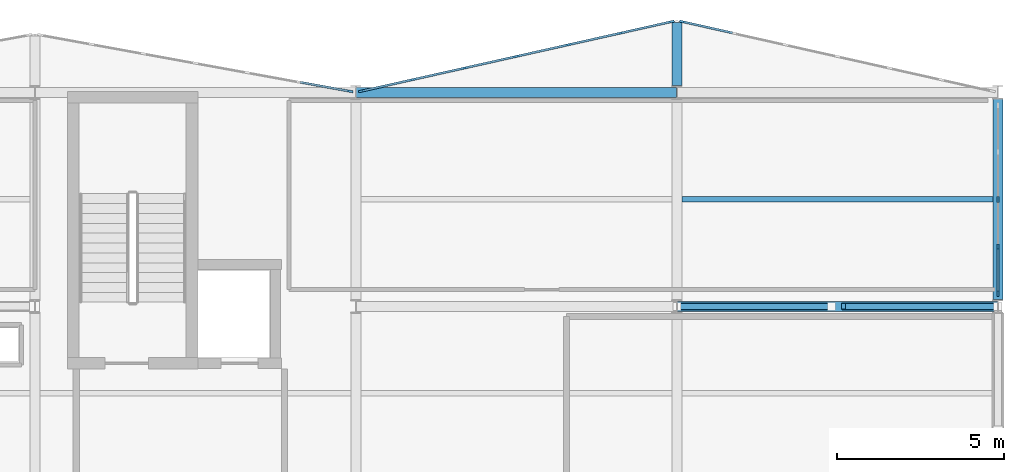
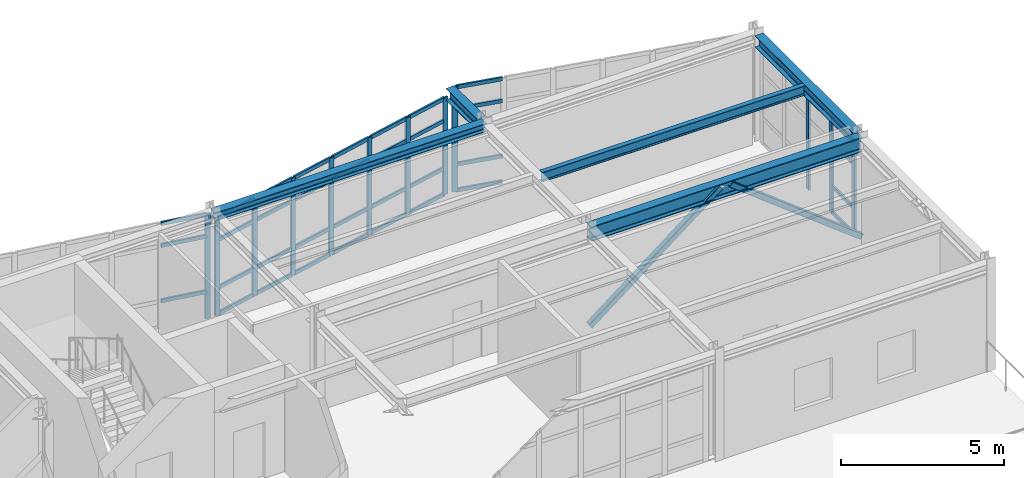
# One storey, part 26 of 47: 49 members, 5 beams, 4 elements without a shape of their own.
"""IFC4 building model written with IfcOpenShell, lengths in metres."""

from ifc_helpers import new_model, si_unit, direction, frame, origin, origin_2d, place, context, subcontext, project, spatial, rectangle, hollow_rectangle, i_section, extrude, material, layer, layer_set, material_profile, profile_set, type_object, element, aggregate, save


model = new_model("IFC4")

# Units and contexts
model_context = context("Model", 3, precision=1e-05, world=origin(), true_north=direction((0.0, 1.0)))
body_context = subcontext(model_context, "Body", "Model", "MODEL_VIEW")
ifc_project = project(units=[si_unit("LENGTHUNIT", "METRE"), si_unit("AREAUNIT", "SQUARE_METRE"), si_unit("VOLUMEUNIT", "CUBIC_METRE"), si_unit("PLANEANGLEUNIT", "RADIAN"), si_unit("MASSUNIT", "GRAM", prefix="KILO")], contexts=[model_context])

# Site, building, storey
site_placement = place(None, origin())
site = spatial("IfcSite", under=ifc_project, at=site_placement, CompositionType="ELEMENT")
building_placement = place(site_placement, origin())
building = spatial("IfcBuilding", under=site, at=building_placement, Name="Nordkorset Police Headquarters", CompositionType="ELEMENT")
storey_placement = place(building_placement, frame((0.0, 0.0, 22.050048828125)))
storey = spatial("IfcBuildingStorey", under=building, at=storey_placement, Name="L05", CompositionType="ELEMENT", Elevation=22.050048828125)

# Beam
ifc_material_1 = material(Name="Steel S355J2", Category="steel")
ifc_material_profile_1 = material_profile(ifc_material_1, i_section(OverallWidth=0.169921875, OverallDepth=0.360107421875, WebThickness=0.008056640625, FlangeThickness=0.0126953125, FilletRadius=0.01806640625, at=origin_2d()), Name="IPE 360")
ifc_profile_set_1 = profile_set([ifc_material_profile_1], Name="Steel S355J2")
beam_type_1 = type_object("IfcBeamType", Name="Beam_IPE_360", PredefinedType="BEAM", material=ifc_profile_set_1)
beam_1_placement = place(storey_placement, frame((76.949951171875, 113.60009765625, 3.784912109375), z_axis=(1.0, 0.0, 0.0), x_axis=(0.0, 1.0, 0.0)))
element("IfcBeam", 1, at=beam_1_placement, inside=storey, type_object=beam_type_1, Name="Composite Floor Beam V2 L05 5-1-1", PredefinedType="BEAM", context=body_context, shape_type="SweptSolid", body=[
    extrude(i_section(OverallWidth=0.169921875, OverallDepth=0.360107421875, WebThickness=0.008056640625, FlangeThickness=0.0126953125, FilletRadius=0.01806640625, at=origin_2d()), origin(), (0.0, 0.0, 1.0), 9.300048828125),
])

# Members
ifc_material_2 = material(Name="Steel S355J2", Category="steel")
ifc_material_profile_2 = material_profile(ifc_material_2, hollow_rectangle(XDim=0.199951171875, YDim=0.199951171875, WallThickness=0.010009765625, InnerFilletRadius=0.010009765625, OuterFilletRadius=0.02001953125, at=origin_2d()), Name="SHS 200x200x10")
ifc_profile_set_2 = profile_set([ifc_material_profile_2], Name="Steel S355J2")
member_type_1 = type_object("IfcMemberType", Name="Brace_SHS_200x200x10", PredefinedType="BRACE", material=ifc_profile_set_2)
for number, where, z_axis, x_axis, name in (
    (2, (76.806640625, 110.39990234375, 0.199951171875), (0.790018119553, 0.0, 0.613083494132), (0.0, 1.0, 0.0), "Lateral Chevron Brace BF-V2-B L05 D1"),
    (3, (86.393310546875, 110.39990234375, 0.199951171875), (-0.790018119553, 0.0, 0.613083494132), (0.0, -1.0, 0.0), "Lateral Chevron Brace BF-V2-B L05 D2"),
):
    element("IfcMember", number, at=place(storey_placement, frame(where, z_axis=z_axis, x_axis=x_axis)), inside=storey, type_object=member_type_1, Name=name, PredefinedType="BRACE", context=body_context, shape_type="SweptSolid", body=[
        extrude(hollow_rectangle(XDim=0.199951171875, YDim=0.199951171875, WallThickness=0.010009765625, InnerFilletRadius=0.010009765625, OuterFilletRadius=0.02001953125, at=origin_2d()), origin(), (0.0, 0.0, 1.0), 5.83935546875),
    ])

# Curtain wall, member
ifc_material_3 = material(Name="Aluminium alloy AW-6060", Category="aluminium")
ifc_layer_1 = layer(ifc_material_3, 0.179931640625, Name="Aluminium alloy AW-6060")
ifc_layer_set_1 = layer_set([ifc_layer_1], Name="Aluminium alloy AW-6060")
curtain_wall_type_1 = type_object("IfcCurtainWallType", Name="CW_Unit_948x392", PredefinedType="USERDEFINED", material=ifc_layer_set_1)
curtain_wall_1_placement = place(storey_placement, origin())
curtain_wall_1 = element("IfcCurtainWall", 4, at=curtain_wall_1_placement, inside=storey, type_object=curtain_wall_type_1, Name="Unitised Curtain Wall L05 V2N-3", ObjectType="UNITISED CURTAIN WALL", PredefinedType="USERDEFINED")
ifc_material_4 = material(Name="Aluminium alloy AW-6060", Category="aluminium")
ifc_material_profile_3 = material_profile(ifc_material_4, rectangle(XDim=0.06494140625, YDim=0.179931640625, at=origin_2d()), Name="ALU MULL 65x180")
ifc_profile_set_3 = profile_set([ifc_material_profile_3], Name="Aluminium alloy AW-6060")
member_type_2 = type_object("IfcMemberType", Name="CW_Mullion_65x180", PredefinedType="MULLION", material=ifc_profile_set_3)
member_1_placement = place(storey_placement, frame((67.0302734375, 116.8310546875, 0.0), z_axis=(0.0, 0.0, 1.0), x_axis=(0.179335715876, 0.983787934979, 0.0)))
member_1 = element("IfcMember", 5, at=member_1_placement, type_object=member_type_2, Name="CW-65 mullion 7", PredefinedType="MULLION", context=body_context, shape_type="SweptSolid", body=[
    extrude(rectangle(XDim=0.06494140625, YDim=0.179931640625, at=origin_2d()), origin(), (0.0, 0.0, 1.0), 3.919921875),
])

# Curtain wall, members
ifc_material_5 = material(Name="Aluminium alloy AW-6060", Category="aluminium")
ifc_layer_2 = layer(ifc_material_5, 0.179931640625, Name="Aluminium alloy AW-6060")
ifc_layer_set_2 = layer_set([ifc_layer_2], Name="Aluminium alloy AW-6060")
curtain_wall_type_2 = type_object("IfcCurtainWallType", Name="CW_Unit_956x364", PredefinedType="USERDEFINED", material=ifc_layer_set_2)
curtain_wall_2_placement = place(storey_placement, origin())
curtain_wall_2 = element("IfcCurtainWall", 6, at=curtain_wall_2_placement, inside=storey, type_object=curtain_wall_type_2, Name="Unitised Curtain Wall L05 V2N-4", ObjectType="UNITISED CURTAIN WALL", PredefinedType="USERDEFINED")
member_2_placement = place(storey_placement, frame((67.368408203125, 116.837646484375, 0.0), z_axis=(0.0, 0.0, 1.0), x_axis=(-0.218544020358, 0.975827090814, 0.0)))
member_2 = element("IfcMember", 7, at=member_2_placement, type_object=member_type_2, Name="CW-36 mullion 1", PredefinedType="MULLION", context=body_context, shape_type="SweptSolid", body=[
    extrude(rectangle(XDim=0.06494140625, YDim=0.179931640625, at=origin_2d()), origin(), (0.0, 0.0, 1.0), 3.635009765625),
])
member_3_placement = place(storey_placement, frame((68.89111328125, 117.1787109375, 0.0), z_axis=(0.0, 0.0, 1.0), x_axis=(-0.218544020358, 0.975827090814, 0.0)))
member_3 = element("IfcMember", 8, at=member_3_placement, type_object=member_type_2, Name="CW-36 mullion 2", PredefinedType="MULLION", context=body_context, shape_type="SweptSolid", body=[
    extrude(rectangle(XDim=0.06494140625, YDim=0.179931640625, at=origin_2d()), origin(), (0.0, 0.0, 1.0), 3.635009765625),
])
member_4_placement = place(storey_placement, frame((70.445556640625, 117.52685546875, 0.0), z_axis=(0.0, 0.0, 1.0), x_axis=(-0.218544020358, 0.975827090814, 0.0)))
member_4 = element("IfcMember", 9, at=member_4_placement, type_object=member_type_2, Name="CW-36 mullion 3", PredefinedType="MULLION", context=body_context, shape_type="SweptSolid", body=[
    extrude(rectangle(XDim=0.06494140625, YDim=0.179931640625, at=origin_2d()), origin(), (0.0, 0.0, 1.0), 3.635009765625),
])
member_5_placement = place(storey_placement, frame((72.0, 117.875, 0.0), z_axis=(0.0, 0.0, 1.0), x_axis=(-0.218544020358, 0.975827090814, 0.0)))
member_5 = element("IfcMember", 10, at=member_5_placement, type_object=member_type_2, Name="CW-36 mullion 4", PredefinedType="MULLION", context=body_context, shape_type="SweptSolid", body=[
    extrude(rectangle(XDim=0.06494140625, YDim=0.179931640625, at=origin_2d()), origin(), (0.0, 0.0, 1.0), 3.635009765625),
])
member_6_placement = place(storey_placement, frame((73.554443359375, 118.22314453125, 0.0), z_axis=(0.0, 0.0, 1.0), x_axis=(-0.218544020358, 0.975827090814, 0.0)))
member_6 = element("IfcMember", 11, at=member_6_placement, type_object=member_type_2, Name="CW-36 mullion 5", PredefinedType="MULLION", context=body_context, shape_type="SweptSolid", body=[
    extrude(rectangle(XDim=0.06494140625, YDim=0.179931640625, at=origin_2d()), origin(), (0.0, 0.0, 1.0), 3.635009765625),
])
member_7_placement = place(storey_placement, frame((75.10888671875, 118.5712890625, 0.0), z_axis=(0.0, 0.0, 1.0), x_axis=(-0.218544020358, 0.975827090814, 0.0)))
member_7 = element("IfcMember", 12, at=member_7_placement, type_object=member_type_2, Name="CW-36 mullion 6", PredefinedType="MULLION", context=body_context, shape_type="SweptSolid", body=[
    extrude(rectangle(XDim=0.06494140625, YDim=0.179931640625, at=origin_2d()), origin(), (0.0, 0.0, 1.0), 3.635009765625),
])
member_8_placement = place(storey_placement, frame((76.631591796875, 118.912353515625, 0.0), z_axis=(0.0, 0.0, 1.0), x_axis=(-0.218544020358, 0.975827090814, 0.0)))
member_8 = element("IfcMember", 13, at=member_8_placement, type_object=member_type_2, Name="CW-36 mullion 7", PredefinedType="MULLION", context=body_context, shape_type="SweptSolid", body=[
    extrude(rectangle(XDim=0.06494140625, YDim=0.179931640625, at=origin_2d()), origin(), (0.0, 0.0, 1.0), 3.635009765625),
])

# Curtain wall, member
ifc_material_6 = material(Name="Aluminium alloy AW-6060", Category="aluminium")
ifc_layer_3 = layer(ifc_material_6, 0.179931640625, Name="Aluminium alloy AW-6060")
ifc_layer_set_3 = layer_set([ifc_layer_3], Name="Aluminium alloy AW-6060")
curtain_wall_type_3 = type_object("IfcCurtainWallType", Name="CW_Unit_956x392", PredefinedType="USERDEFINED", material=ifc_layer_set_3)
curtain_wall_3_placement = place(storey_placement, origin())
curtain_wall_3 = element("IfcCurtainWall", 14, at=curtain_wall_3_placement, inside=storey, type_object=curtain_wall_type_3, Name="Unitised Curtain Wall L05 V2N-5", ObjectType="UNITISED CURTAIN WALL", PredefinedType="USERDEFINED")
member_9_placement = place(storey_placement, frame((76.96826171875, 118.912353515625, 0.0), z_axis=(0.0, 0.0, 1.0), x_axis=(0.218544020358, 0.975827090814, 0.0)))
member_9 = element("IfcMember", 15, at=member_9_placement, type_object=member_type_2, Name="CW-41 mullion 1", PredefinedType="MULLION", context=body_context, shape_type="SweptSolid", body=[
    extrude(rectangle(XDim=0.06494140625, YDim=0.179931640625, at=origin_2d()), origin(), (0.0, 0.0, 1.0), 3.919921875),
])

# Curtain wall, members
ifc_material_7 = material(Name="Aluminium alloy AW-6060", Category="aluminium")
ifc_layer_4 = layer(ifc_material_7, 0.179931640625, Name="Aluminium alloy AW-6060")
ifc_layer_set_4 = layer_set([ifc_layer_4], Name="Aluminium alloy AW-6060")
curtain_wall_type_4 = type_object("IfcCurtainWallType", Name="CW_Unit_568x350", PredefinedType="USERDEFINED", material=ifc_layer_set_4)
curtain_wall_4_placement = place(storey_placement, origin())
curtain_wall_4 = element("IfcCurtainWall", 16, at=curtain_wall_4_placement, inside=storey, type_object=curtain_wall_type_4, Name="Unitised Curtain Wall L05 V2E-1", ObjectType="UNITISED CURTAIN WALL", PredefinedType="USERDEFINED")
member_10_placement = place(storey_placement, frame((86.39990234375, 110.79248046875, 0.0), z_axis=(0.0, 0.0, 1.0), x_axis=(-1.0, 0.0, 0.0)))
member_10 = element("IfcMember", 17, at=member_10_placement, type_object=member_type_2, Name="CW-23 mullion 1", PredefinedType="MULLION", context=body_context, shape_type="SweptSolid", body=[
    extrude(rectangle(XDim=0.06494140625, YDim=0.179931640625, at=origin_2d()), origin(), (0.0, 0.0, 1.0), 3.5048828125),
])
member_11_placement = place(storey_placement, frame((86.39990234375, 112.179931640625, 0.0), z_axis=(0.0, 0.0, 1.0), x_axis=(-1.0, 0.0, 0.0)))
member_11 = element("IfcMember", 18, at=member_11_placement, type_object=member_type_2, Name="CW-23 mullion 2", PredefinedType="MULLION", context=body_context, shape_type="SweptSolid", body=[
    extrude(rectangle(XDim=0.06494140625, YDim=0.179931640625, at=origin_2d()), origin(), (0.0, 0.0, 1.0), 3.5048828125),
])
member_12_placement = place(storey_placement, frame((86.39990234375, 113.60009765625, 0.0), z_axis=(0.0, 0.0, 1.0), x_axis=(-1.0, 0.0, 0.0)))
member_12 = element("IfcMember", 19, at=member_12_placement, type_object=member_type_2, Name="CW-23 mullion 3", PredefinedType="MULLION", context=body_context, shape_type="SweptSolid", body=[
    extrude(rectangle(XDim=0.06494140625, YDim=0.179931640625, at=origin_2d()), origin(), (0.0, 0.0, 1.0), 3.5048828125),
])

# Member
ifc_material_8 = material(Name="Aluminium alloy AW-6060", Category="aluminium")
ifc_material_profile_4 = material_profile(ifc_material_8, rectangle(XDim=0.06494140625, YDim=0.139892578125, at=origin_2d()), Name="ALU TRAN 65x140")
ifc_profile_set_4 = profile_set([ifc_material_profile_4], Name="Aluminium alloy AW-6060")
member_type_3 = type_object("IfcMemberType", Name="CW_Transom_65x140", PredefinedType="USERDEFINED", material=ifc_profile_set_4)
member_13_placement = place(storey_placement, frame((65.5400390625, 117.1025390625, 1.0), z_axis=(0.98378282961, -0.179363720316, 0.0), x_axis=(0.179363720316, 0.98378282961, 0.0)))
member_13 = element("IfcMember", 20, at=member_13_placement, type_object=member_type_3, Name="CW-65 transom 6.2", ObjectType="TRANSOM", PredefinedType="USERDEFINED", context=body_context, shape_type="SweptSolid", body=[
    extrude(rectangle(XDim=0.06494140625, YDim=0.139892578125, at=origin_2d()), origin(), (0.0, 0.0, 1.0), 1.482177734375),
])

member_14_placement = place(storey_placement, frame((65.5400390625, 117.1025390625, 3.070068359375), z_axis=(0.98378282961, -0.179363720316, 0.0), x_axis=(0.179363720316, 0.98378282961, 0.0)))
member_14 = element("IfcMember", 21, at=member_14_placement, type_object=member_type_3, Name="CW-65 transom 6.3", ObjectType="TRANSOM", PredefinedType="USERDEFINED", context=body_context, shape_type="SweptSolid", body=[
    extrude(rectangle(XDim=0.06494140625, YDim=0.139892578125, at=origin_2d()), origin(), (0.0, 0.0, 1.0), 1.482177734375),
])

member_15_placement = place(storey_placement, frame((65.5400390625, 117.1025390625, 3.887451171875), z_axis=(0.98378282961, -0.179363720316, 0.0), x_axis=(0.179363720316, 0.98378282961, 0.0)))
member_15 = element("IfcMember", 22, at=member_15_placement, type_object=member_type_3, Name="CW-65 transom 6.4", ObjectType="TRANSOM", PredefinedType="USERDEFINED", context=body_context, shape_type="SweptSolid", body=[
    extrude(rectangle(XDim=0.06494140625, YDim=0.139892578125, at=origin_2d()), origin(), (0.0, 0.0, 1.0), 1.482177734375),
])

aggregate(curtain_wall_1, [member_1, member_13, member_14, member_15])

member_16_placement = place(storey_placement, frame((67.400146484375, 116.8447265625, 0.032470703125), z_axis=(0.975813000089, 0.218606927743, 0.0), x_axis=(-0.218606927743, 0.975813000089, 0.0)))
member_16 = element("IfcMember", 23, at=member_16_placement, type_object=member_type_3, Name="CW-36 transom 1.1", ObjectType="TRANSOM", PredefinedType="USERDEFINED", context=body_context, shape_type="SweptSolid", body=[
    extrude(rectangle(XDim=0.06494140625, YDim=0.139892578125, at=origin_2d()), origin(), (0.0, 0.0, 1.0), 1.495361328125),
])

member_17_placement = place(storey_placement, frame((67.400146484375, 116.8447265625, 1.0), z_axis=(0.975813000089, 0.218606927743, 0.0), x_axis=(-0.218606927743, 0.975813000089, 0.0)))
member_17 = element("IfcMember", 24, at=member_17_placement, type_object=member_type_3, Name="CW-36 transom 1.2", ObjectType="TRANSOM", PredefinedType="USERDEFINED", context=body_context, shape_type="SweptSolid", body=[
    extrude(rectangle(XDim=0.06494140625, YDim=0.139892578125, at=origin_2d()), origin(), (0.0, 0.0, 1.0), 1.495361328125),
])

member_18_placement = place(storey_placement, frame((67.400146484375, 116.8447265625, 2.784912109375), z_axis=(0.975813000089, 0.218606927743, 0.0), x_axis=(-0.218606927743, 0.975813000089, 0.0)))
member_18 = element("IfcMember", 25, at=member_18_placement, type_object=member_type_3, Name="CW-36 transom 1.3", ObjectType="TRANSOM", PredefinedType="USERDEFINED", context=body_context, shape_type="SweptSolid", body=[
    extrude(rectangle(XDim=0.06494140625, YDim=0.139892578125, at=origin_2d()), origin(), (0.0, 0.0, 1.0), 1.495361328125),
])

member_19_placement = place(storey_placement, frame((67.400146484375, 116.8447265625, 3.6025390625), z_axis=(0.975813000089, 0.218606927743, 0.0), x_axis=(-0.218606927743, 0.975813000089, 0.0)))
member_19 = element("IfcMember", 26, at=member_19_placement, type_object=member_type_3, Name="CW-36 transom 1.4", ObjectType="TRANSOM", PredefinedType="USERDEFINED", context=body_context, shape_type="SweptSolid", body=[
    extrude(rectangle(XDim=0.06494140625, YDim=0.139892578125, at=origin_2d()), origin(), (0.0, 0.0, 1.0), 1.495361328125),
])

member_20_placement = place(storey_placement, frame((68.9228515625, 117.185791015625, 0.032470703125), z_axis=(0.975817202869, 0.218588166616, 0.0), x_axis=(-0.218588166616, 0.975817202869, 0.0)))
member_20 = element("IfcMember", 27, at=member_20_placement, type_object=member_type_3, Name="CW-36 transom 2.1", ObjectType="TRANSOM", PredefinedType="USERDEFINED", context=body_context, shape_type="SweptSolid", body=[
    extrude(rectangle(XDim=0.06494140625, YDim=0.139892578125, at=origin_2d()), origin(), (0.0, 0.0, 1.0), 1.52783203125),
])

member_21_placement = place(storey_placement, frame((68.9228515625, 117.185791015625, 1.0), z_axis=(0.975817202869, 0.218588166616, 0.0), x_axis=(-0.218588166616, 0.975817202869, 0.0)))
member_21 = element("IfcMember", 28, at=member_21_placement, type_object=member_type_3, Name="CW-36 transom 2.2", ObjectType="TRANSOM", PredefinedType="USERDEFINED", context=body_context, shape_type="SweptSolid", body=[
    extrude(rectangle(XDim=0.06494140625, YDim=0.139892578125, at=origin_2d()), origin(), (0.0, 0.0, 1.0), 1.52783203125),
])

member_22_placement = place(storey_placement, frame((68.9228515625, 117.185791015625, 2.784912109375), z_axis=(0.975817202869, 0.218588166616, 0.0), x_axis=(-0.218588166616, 0.975817202869, 0.0)))
member_22 = element("IfcMember", 29, at=member_22_placement, type_object=member_type_3, Name="CW-36 transom 2.3", ObjectType="TRANSOM", PredefinedType="USERDEFINED", context=body_context, shape_type="SweptSolid", body=[
    extrude(rectangle(XDim=0.06494140625, YDim=0.139892578125, at=origin_2d()), origin(), (0.0, 0.0, 1.0), 1.52783203125),
])

member_23_placement = place(storey_placement, frame((68.9228515625, 117.185791015625, 3.6025390625), z_axis=(0.975817202869, 0.218588166616, 0.0), x_axis=(-0.218588166616, 0.975817202869, 0.0)))
member_23 = element("IfcMember", 30, at=member_23_placement, type_object=member_type_3, Name="CW-36 transom 2.4", ObjectType="TRANSOM", PredefinedType="USERDEFINED", context=body_context, shape_type="SweptSolid", body=[
    extrude(rectangle(XDim=0.06494140625, YDim=0.139892578125, at=origin_2d()), origin(), (0.0, 0.0, 1.0), 1.52783203125),
])

member_24_placement = place(storey_placement, frame((70.477294921875, 117.533935546875, 0.032470703125), z_axis=(0.975817202869, 0.218588166616, 0.0), x_axis=(-0.218588166616, 0.975817202869, 0.0)))
member_24 = element("IfcMember", 31, at=member_24_placement, type_object=member_type_3, Name="CW-36 transom 3.1", ObjectType="TRANSOM", PredefinedType="USERDEFINED", context=body_context, shape_type="SweptSolid", body=[
    extrude(rectangle(XDim=0.06494140625, YDim=0.139892578125, at=origin_2d()), origin(), (0.0, 0.0, 1.0), 1.52783203125),
])

member_25_placement = place(storey_placement, frame((70.477294921875, 117.533935546875, 1.0), z_axis=(0.975817202869, 0.218588166616, 0.0), x_axis=(-0.218588166616, 0.975817202869, 0.0)))
member_25 = element("IfcMember", 32, at=member_25_placement, type_object=member_type_3, Name="CW-36 transom 3.2", ObjectType="TRANSOM", PredefinedType="USERDEFINED", context=body_context, shape_type="SweptSolid", body=[
    extrude(rectangle(XDim=0.06494140625, YDim=0.139892578125, at=origin_2d()), origin(), (0.0, 0.0, 1.0), 1.52783203125),
])

member_26_placement = place(storey_placement, frame((70.477294921875, 117.533935546875, 2.784912109375), z_axis=(0.975817202869, 0.218588166616, 0.0), x_axis=(-0.218588166616, 0.975817202869, 0.0)))
member_26 = element("IfcMember", 33, at=member_26_placement, type_object=member_type_3, Name="CW-36 transom 3.3", ObjectType="TRANSOM", PredefinedType="USERDEFINED", context=body_context, shape_type="SweptSolid", body=[
    extrude(rectangle(XDim=0.06494140625, YDim=0.139892578125, at=origin_2d()), origin(), (0.0, 0.0, 1.0), 1.52783203125),
])

member_27_placement = place(storey_placement, frame((70.477294921875, 117.533935546875, 3.6025390625), z_axis=(0.975817202869, 0.218588166616, 0.0), x_axis=(-0.218588166616, 0.975817202869, 0.0)))
member_27 = element("IfcMember", 34, at=member_27_placement, type_object=member_type_3, Name="CW-36 transom 3.4", ObjectType="TRANSOM", PredefinedType="USERDEFINED", context=body_context, shape_type="SweptSolid", body=[
    extrude(rectangle(XDim=0.06494140625, YDim=0.139892578125, at=origin_2d()), origin(), (0.0, 0.0, 1.0), 1.52783203125),
])

member_28_placement = place(storey_placement, frame((72.03173828125, 117.882080078125, 0.032470703125), z_axis=(0.975817202869, 0.218588166616, 0.0), x_axis=(-0.218588166616, 0.975817202869, 0.0)))
member_28 = element("IfcMember", 35, at=member_28_placement, type_object=member_type_3, Name="CW-36 transom 4.1", ObjectType="TRANSOM", PredefinedType="USERDEFINED", context=body_context, shape_type="SweptSolid", body=[
    extrude(rectangle(XDim=0.06494140625, YDim=0.139892578125, at=origin_2d()), origin(), (0.0, 0.0, 1.0), 1.52783203125),
])

member_29_placement = place(storey_placement, frame((72.03173828125, 117.882080078125, 1.0), z_axis=(0.975817202869, 0.218588166616, 0.0), x_axis=(-0.218588166616, 0.975817202869, 0.0)))
member_29 = element("IfcMember", 36, at=member_29_placement, type_object=member_type_3, Name="CW-36 transom 4.2", ObjectType="TRANSOM", PredefinedType="USERDEFINED", context=body_context, shape_type="SweptSolid", body=[
    extrude(rectangle(XDim=0.06494140625, YDim=0.139892578125, at=origin_2d()), origin(), (0.0, 0.0, 1.0), 1.52783203125),
])

member_30_placement = place(storey_placement, frame((72.03173828125, 117.882080078125, 2.784912109375), z_axis=(0.975817202869, 0.218588166616, 0.0), x_axis=(-0.218588166616, 0.975817202869, 0.0)))
member_30 = element("IfcMember", 37, at=member_30_placement, type_object=member_type_3, Name="CW-36 transom 4.3", ObjectType="TRANSOM", PredefinedType="USERDEFINED", context=body_context, shape_type="SweptSolid", body=[
    extrude(rectangle(XDim=0.06494140625, YDim=0.139892578125, at=origin_2d()), origin(), (0.0, 0.0, 1.0), 1.52783203125),
])

member_31_placement = place(storey_placement, frame((72.03173828125, 117.882080078125, 3.6025390625), z_axis=(0.975817202869, 0.218588166616, 0.0), x_axis=(-0.218588166616, 0.975817202869, 0.0)))
member_31 = element("IfcMember", 38, at=member_31_placement, type_object=member_type_3, Name="CW-36 transom 4.4", ObjectType="TRANSOM", PredefinedType="USERDEFINED", context=body_context, shape_type="SweptSolid", body=[
    extrude(rectangle(XDim=0.06494140625, YDim=0.139892578125, at=origin_2d()), origin(), (0.0, 0.0, 1.0), 1.52783203125),
])

member_32_placement = place(storey_placement, frame((73.586181640625, 118.230224609375, 0.032470703125), z_axis=(0.975817202869, 0.218588166616, 0.0), x_axis=(-0.218588166616, 0.975817202869, 0.0)))
member_32 = element("IfcMember", 39, at=member_32_placement, type_object=member_type_3, Name="CW-36 transom 5.1", ObjectType="TRANSOM", PredefinedType="USERDEFINED", context=body_context, shape_type="SweptSolid", body=[
    extrude(rectangle(XDim=0.06494140625, YDim=0.139892578125, at=origin_2d()), origin(), (0.0, 0.0, 1.0), 1.52783203125),
])

member_33_placement = place(storey_placement, frame((73.586181640625, 118.230224609375, 1.0), z_axis=(0.975817202869, 0.218588166616, 0.0), x_axis=(-0.218588166616, 0.975817202869, 0.0)))
member_33 = element("IfcMember", 40, at=member_33_placement, type_object=member_type_3, Name="CW-36 transom 5.2", ObjectType="TRANSOM", PredefinedType="USERDEFINED", context=body_context, shape_type="SweptSolid", body=[
    extrude(rectangle(XDim=0.06494140625, YDim=0.139892578125, at=origin_2d()), origin(), (0.0, 0.0, 1.0), 1.52783203125),
])

member_34_placement = place(storey_placement, frame((73.586181640625, 118.230224609375, 2.784912109375), z_axis=(0.975817202869, 0.218588166616, 0.0), x_axis=(-0.218588166616, 0.975817202869, 0.0)))
member_34 = element("IfcMember", 41, at=member_34_placement, type_object=member_type_3, Name="CW-36 transom 5.3", ObjectType="TRANSOM", PredefinedType="USERDEFINED", context=body_context, shape_type="SweptSolid", body=[
    extrude(rectangle(XDim=0.06494140625, YDim=0.139892578125, at=origin_2d()), origin(), (0.0, 0.0, 1.0), 1.52783203125),
])

member_35_placement = place(storey_placement, frame((73.586181640625, 118.230224609375, 3.6025390625), z_axis=(0.975817202869, 0.218588166616, 0.0), x_axis=(-0.218588166616, 0.975817202869, 0.0)))
member_35 = element("IfcMember", 42, at=member_35_placement, type_object=member_type_3, Name="CW-36 transom 5.4", ObjectType="TRANSOM", PredefinedType="USERDEFINED", context=body_context, shape_type="SweptSolid", body=[
    extrude(rectangle(XDim=0.06494140625, YDim=0.139892578125, at=origin_2d()), origin(), (0.0, 0.0, 1.0), 1.52783203125),
])

member_36_placement = place(storey_placement, frame((75.140625, 118.578369140625, 0.032470703125), z_axis=(0.975813000089, 0.218606927743, 0.0), x_axis=(-0.218606927743, 0.975813000089, 0.0)))
member_36 = element("IfcMember", 43, at=member_36_placement, type_object=member_type_3, Name="CW-36 transom 6.1", ObjectType="TRANSOM", PredefinedType="USERDEFINED", context=body_context, shape_type="SweptSolid", body=[
    extrude(rectangle(XDim=0.06494140625, YDim=0.139892578125, at=origin_2d()), origin(), (0.0, 0.0, 1.0), 1.495361328125),
])

member_37_placement = place(storey_placement, frame((75.140625, 118.578369140625, 1.0), z_axis=(0.975813000089, 0.218606927743, 0.0), x_axis=(-0.218606927743, 0.975813000089, 0.0)))
member_37 = element("IfcMember", 44, at=member_37_placement, type_object=member_type_3, Name="CW-36 transom 6.2", ObjectType="TRANSOM", PredefinedType="USERDEFINED", context=body_context, shape_type="SweptSolid", body=[
    extrude(rectangle(XDim=0.06494140625, YDim=0.139892578125, at=origin_2d()), origin(), (0.0, 0.0, 1.0), 1.495361328125),
])

member_38_placement = place(storey_placement, frame((75.140625, 118.578369140625, 2.784912109375), z_axis=(0.975813000089, 0.218606927743, 0.0), x_axis=(-0.218606927743, 0.975813000089, 0.0)))
member_38 = element("IfcMember", 45, at=member_38_placement, type_object=member_type_3, Name="CW-36 transom 6.3", ObjectType="TRANSOM", PredefinedType="USERDEFINED", context=body_context, shape_type="SweptSolid", body=[
    extrude(rectangle(XDim=0.06494140625, YDim=0.139892578125, at=origin_2d()), origin(), (0.0, 0.0, 1.0), 1.495361328125),
])

member_39_placement = place(storey_placement, frame((75.140625, 118.578369140625, 3.6025390625), z_axis=(0.975813000089, 0.218606927743, 0.0), x_axis=(-0.218606927743, 0.975813000089, 0.0)))
member_39 = element("IfcMember", 46, at=member_39_placement, type_object=member_type_3, Name="CW-36 transom 6.4", ObjectType="TRANSOM", PredefinedType="USERDEFINED", context=body_context, shape_type="SweptSolid", body=[
    extrude(rectangle(XDim=0.06494140625, YDim=0.139892578125, at=origin_2d()), origin(), (0.0, 0.0, 1.0), 1.495361328125),
])

aggregate(curtain_wall_2, [member_2, member_3, member_4, member_5, member_6, member_7, member_8, member_16, member_17, member_18, member_19, member_20, member_21, member_22, member_23, member_24, member_25, member_26, member_27, member_28, member_29, member_30, member_31, member_32, member_33, member_34, member_35, member_36, member_37, member_38, member_39])

member_40_placement = place(storey_placement, frame((77.0, 118.9052734375, 0.032470703125), z_axis=(0.975820800319, -0.218572106328, 0.0), x_axis=(0.218572106328, 0.975820800319, 0.0)))
member_40 = element("IfcMember", 47, at=member_40_placement, type_object=member_type_3, Name="CW-41 transom 1.1", ObjectType="TRANSOM", PredefinedType="USERDEFINED", context=body_context, shape_type="SweptSolid", body=[
    extrude(rectangle(XDim=0.06494140625, YDim=0.139892578125, at=origin_2d()), origin(), (0.0, 0.0, 1.0), 1.49560546875),
])

member_41_placement = place(storey_placement, frame((77.0, 118.9052734375, 1.0), z_axis=(0.975820800319, -0.218572106328, 0.0), x_axis=(0.218572106328, 0.975820800319, 0.0)))
member_41 = element("IfcMember", 48, at=member_41_placement, type_object=member_type_3, Name="CW-41 transom 1.2", ObjectType="TRANSOM", PredefinedType="USERDEFINED", context=body_context, shape_type="SweptSolid", body=[
    extrude(rectangle(XDim=0.06494140625, YDim=0.139892578125, at=origin_2d()), origin(), (0.0, 0.0, 1.0), 1.49560546875),
])

member_42_placement = place(storey_placement, frame((77.0, 118.9052734375, 3.070068359375), z_axis=(0.975820800319, -0.218572106328, 0.0), x_axis=(0.218572106328, 0.975820800319, 0.0)))
member_42 = element("IfcMember", 49, at=member_42_placement, type_object=member_type_3, Name="CW-41 transom 1.3", ObjectType="TRANSOM", PredefinedType="USERDEFINED", context=body_context, shape_type="SweptSolid", body=[
    extrude(rectangle(XDim=0.06494140625, YDim=0.139892578125, at=origin_2d()), origin(), (0.0, 0.0, 1.0), 1.49560546875),
])

member_43_placement = place(storey_placement, frame((77.0, 118.9052734375, 3.887451171875), z_axis=(0.975820800319, -0.218572106328, 0.0), x_axis=(0.218572106328, 0.975820800319, 0.0)))
member_43 = element("IfcMember", 50, at=member_43_placement, type_object=member_type_3, Name="CW-41 transom 1.4", ObjectType="TRANSOM", PredefinedType="USERDEFINED", context=body_context, shape_type="SweptSolid", body=[
    extrude(rectangle(XDim=0.06494140625, YDim=0.139892578125, at=origin_2d()), origin(), (0.0, 0.0, 1.0), 1.49560546875),
])

aggregate(curtain_wall_3, [member_9, member_40, member_41, member_42, member_43])

member_44_placement = place(storey_placement, frame((86.39990234375, 110.824951171875, 0.032470703125), z_axis=(0.0, 1.0, 0.0), x_axis=(-1.0, 0.0, 0.0)))
member_44 = element("IfcMember", 51, at=member_44_placement, type_object=member_type_3, Name="CW-23 transom 1.1", ObjectType="TRANSOM", PredefinedType="USERDEFINED", context=body_context, shape_type="SweptSolid", body=[
    extrude(rectangle(XDim=0.06494140625, YDim=0.139892578125, at=origin_2d()), origin(), (0.0, 0.0, 1.0), 1.322509765625),
])

member_45_placement = place(storey_placement, frame((86.39990234375, 110.824951171875, 1.0), z_axis=(0.0, 1.0, 0.0), x_axis=(-1.0, 0.0, 0.0)))
member_45 = element("IfcMember", 52, at=member_45_placement, type_object=member_type_3, Name="CW-23 transom 1.2", ObjectType="TRANSOM", PredefinedType="USERDEFINED", context=body_context, shape_type="SweptSolid", body=[
    extrude(rectangle(XDim=0.06494140625, YDim=0.139892578125, at=origin_2d()), origin(), (0.0, 0.0, 1.0), 1.322509765625),
])

member_46_placement = place(storey_placement, frame((86.39990234375, 110.824951171875, 2.655029296875), z_axis=(0.0, 1.0, 0.0), x_axis=(-1.0, 0.0, 0.0)))
member_46 = element("IfcMember", 53, at=member_46_placement, type_object=member_type_3, Name="CW-23 transom 1.3", ObjectType="TRANSOM", PredefinedType="USERDEFINED", context=body_context, shape_type="SweptSolid", body=[
    extrude(rectangle(XDim=0.06494140625, YDim=0.139892578125, at=origin_2d()), origin(), (0.0, 0.0, 1.0), 1.322509765625),
])

member_47_placement = place(storey_placement, frame((86.39990234375, 110.824951171875, 3.472412109375), z_axis=(0.0, 1.0, 0.0), x_axis=(-1.0, 0.0, 0.0)))
member_47 = element("IfcMember", 54, at=member_47_placement, type_object=member_type_3, Name="CW-23 transom 1.4", ObjectType="TRANSOM", PredefinedType="USERDEFINED", context=body_context, shape_type="SweptSolid", body=[
    extrude(rectangle(XDim=0.06494140625, YDim=0.139892578125, at=origin_2d()), origin(), (0.0, 0.0, 1.0), 1.322509765625),
])

aggregate(curtain_wall_4, [member_10, member_11, member_12, member_44, member_45, member_46, member_47])

# Beams
ifc_material_9 = material(Name="Steel S355J2", Category="steel")
ifc_material_profile_5 = material_profile(ifc_material_9, i_section(OverallWidth=0.300048828125, OverallDepth=0.43994140625, WebThickness=0.011474609375, FlangeThickness=0.02099609375, FilletRadius=0.027099609375, at=origin_2d()), Name="HEA 450")
ifc_profile_set_5 = profile_set([ifc_material_profile_5], Name="Steel S355J2")
beam_type_2 = type_object("IfcBeamType", Name="Girder_HEA_450", PredefinedType="USERDEFINED", material=ifc_profile_set_5)
beam_2_placement = place(storey_placement, frame((86.39990234375, 110.60009765625, 3.744873046875), z_axis=(0.0, 1.0, 0.0), x_axis=(-1.0, 0.0, 0.0)))
element("IfcBeam", 55, at=beam_2_placement, inside=storey, type_object=beam_type_2, Name="Girder V2 L05 GY-6-1", ObjectType="GIRDER", PredefinedType="USERDEFINED", context=body_context, shape_type="SweptSolid", body=[
    extrude(i_section(OverallWidth=0.300048828125, OverallDepth=0.43994140625, WebThickness=0.011474609375, FlangeThickness=0.02099609375, FilletRadius=0.027099609375, at=origin_2d()), origin(), (0.0, 0.0, 1.0), 6.0),
])
beam_3_placement = place(storey_placement, frame((76.800048828125, 117.0, 3.744873046875), z_axis=(0.0, 1.0, 0.0), x_axis=(-1.0, 0.0, 0.0)))
element("IfcBeam", 56, at=beam_3_placement, inside=storey, type_object=beam_type_2, Name="Sawtooth Facade Outrigger V2 L05 76", ObjectType="GIRDER", PredefinedType="USERDEFINED", context=body_context, shape_type="SweptSolid", body=[
    extrude(i_section(OverallWidth=0.300048828125, OverallDepth=0.43994140625, WebThickness=0.011474609375, FlangeThickness=0.02099609375, FilletRadius=0.027099609375, at=origin_2d()), origin(), (0.0, 0.0, 1.0), 1.889892578125),
])
ifc_material_10 = material(Name="Steel S355J2", Category="steel")
ifc_material_profile_6 = material_profile(ifc_material_10, i_section(OverallWidth=0.300048828125, OverallDepth=0.5400390625, WebThickness=0.012451171875, FlangeThickness=0.02392578125, FilletRadius=0.027099609375, at=origin_2d()), Name="HEA 550")
ifc_profile_set_6 = profile_set([ifc_material_profile_6], Name="Steel S355J2")
beam_type_3 = type_object("IfcBeamType", Name="Girder_HEA_550", PredefinedType="USERDEFINED", material=ifc_profile_set_6)
beam_4_placement = place(storey_placement, frame((76.806640625, 110.39990234375, 3.695068359375), z_axis=(1.0, 0.0, 0.0), x_axis=(0.0, 1.0, 0.0)))
element("IfcBeam", 57, at=beam_4_placement, inside=storey, type_object=beam_type_3, Name="Girder V2 L05 GX-1-5", ObjectType="GIRDER", PredefinedType="USERDEFINED", context=body_context, shape_type="SweptSolid", body=[
    extrude(i_section(OverallWidth=0.300048828125, OverallDepth=0.5400390625, WebThickness=0.012451171875, FlangeThickness=0.02392578125, FilletRadius=0.027099609375, at=origin_2d()), origin(), (0.0, 0.0, 1.0), 9.586669921875),
])
ifc_material_11 = material(Name="Steel S355J2", Category="steel")
ifc_material_profile_7 = material_profile(ifc_material_11, i_section(OverallWidth=0.300048828125, OverallDepth=0.31005859375, WebThickness=0.009033203125, FlangeThickness=0.015380859375, FilletRadius=0.027099609375, at=origin_2d()), Name="HEA 320")
ifc_profile_set_7 = profile_set([ifc_material_profile_7], Name="Steel S355J2")
beam_type_4 = type_object("IfcBeamType", Name="Spandrel_HEA_320", PredefinedType="SPANDREL", material=ifc_profile_set_7)
beam_5_placement = place(storey_placement, frame((67.206787109375, 116.800048828125, 3.81005859375), z_axis=(1.0, 0.0, 0.0), x_axis=(0.0, 1.0, 0.0)))
element("IfcBeam", 58, at=beam_5_placement, inside=storey, type_object=beam_type_4, Name="Girder V2 L05 GX-2-4", PredefinedType="SPANDREL", context=body_context, shape_type="SweptSolid", body=[
    extrude(i_section(OverallWidth=0.300048828125, OverallDepth=0.31005859375, WebThickness=0.009033203125, FlangeThickness=0.015380859375, FilletRadius=0.027099609375, at=origin_2d()), origin(), (0.0, 0.0, 1.0), 9.58642578125),
])

save(model, "model.ifc")
